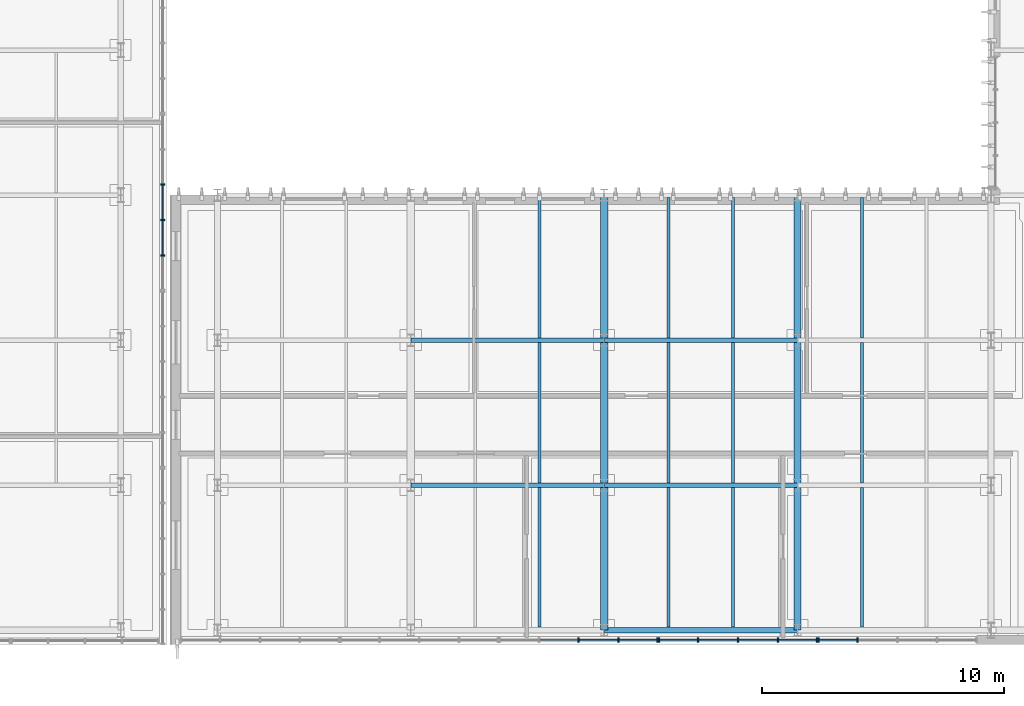
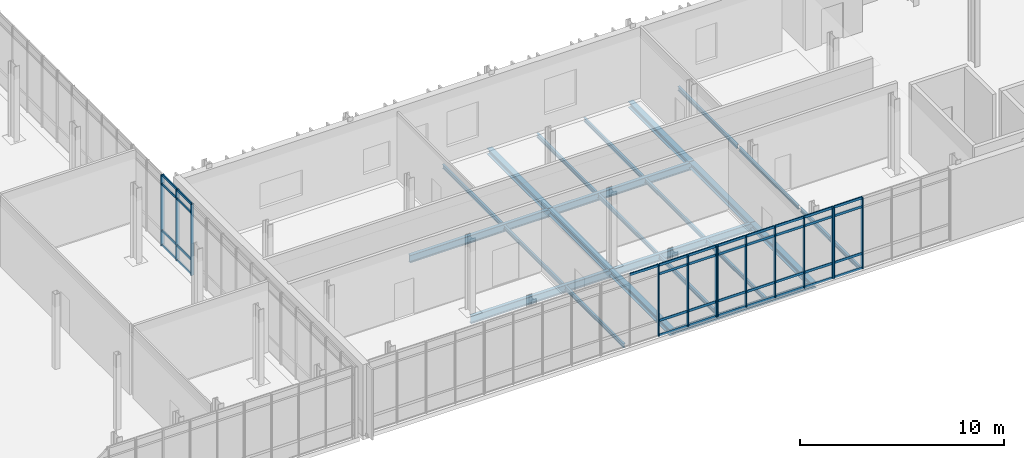
# One storey, part 30 of 100: 50 members, 23 beams, 4 elements without a shape of their own.
"""IFC4 building model written with IfcOpenShell, lengths in metres."""

from ifc_helpers import new_model, si_unit, direction, frame, origin, origin_2d, place, context, subcontext, project, spatial, rectangle, i_section, extrude, material, material_profile, profile_set, type_object, element, aggregate, save


model = new_model("IFC4")

# Units and contexts
model_context = context("Model", 3, precision=1e-05, world=origin(), true_north=direction((0.0, 1.0)))
body_context = subcontext(model_context, "Body", "Model", "MODEL_VIEW")
ifc_project = project(units=[si_unit("LENGTHUNIT", "METRE"), si_unit("AREAUNIT", "SQUARE_METRE"), si_unit("VOLUMEUNIT", "CUBIC_METRE"), si_unit("PLANEANGLEUNIT", "RADIAN"), si_unit("MASSUNIT", "GRAM", prefix="KILO")], contexts=[model_context])

# Site, building, storey
site_placement = place(None, origin())
site = spatial("IfcSite", under=ifc_project, at=site_placement, CompositionType="ELEMENT")
building_placement = place(site_placement, origin())
building = spatial("IfcBuilding", under=site, at=building_placement, Name="Cymarion Research Institute", CompositionType="ELEMENT")
storey_placement = place(building_placement, frame((0.0, 0.0, 4.800048828125)))
storey = spatial("IfcBuildingStorey", under=building, at=storey_placement, Name="L01", CompositionType="ELEMENT", Elevation=4.800048828125)

# Curtain wall, members
ifc_material_1 = material(Name="Anodised aluminium unitised curtain wall with Low-E glazing", Category="aluminium")
curtain_wall_type_1 = type_object("IfcCurtainWallType", Name="UNITISED CURTAIN WALL CW01 6590X4250", PredefinedType="NOTDEFINED", material=ifc_material_1)
curtain_wall_1_placement = place(storey_placement, origin())
curtain_wall_1 = element("IfcCurtainWall", 1, at=curtain_wall_1_placement, inside=storey, type_object=curtain_wall_type_1, Name="L01 V1 unitised curtain wall CW01 #3", PredefinedType="NOTDEFINED")
ifc_material_2 = material(Name="Anodised aluminium framing", Category="aluminium")
ifc_material_profile_1 = material_profile(ifc_material_2, rectangle(XDim=0.06005859375, YDim=0.179931640625, at=origin_2d()), Name="ALU MULLION 60x180")
ifc_profile_set_1 = profile_set([ifc_material_profile_1], Name="Anodised aluminium framing")
member_type_1 = type_object("IfcMemberType", Name="CURTAIN WALL MULLION ML01 60X180", PredefinedType="MULLION", material=ifc_profile_set_1)
member_1_placement = place(storey_placement, frame((121.544677734375, 5.090087890625, 0.0), z_axis=(0.0, 0.0, 1.0), x_axis=(1.0, 0.0, 0.0)))
member_1 = element("IfcMember", 2, at=member_1_placement, type_object=member_type_1, Name="CW01 mullion 3", PredefinedType="MULLION", context=body_context, shape_type="SweptSolid", body=[
    extrude(rectangle(XDim=0.06005859375, YDim=0.179931640625, at=origin_2d()), origin(), (0.0, 0.0, 1.0), 4.25),
])
member_2_placement = place(storey_placement, frame((123.193115234375, 5.090087890625, 0.0), z_axis=(0.0, 0.0, 1.0), x_axis=(1.0, 0.0, 0.0)))
member_2 = element("IfcMember", 3, at=member_2_placement, type_object=member_type_1, Name="CW01 mullion 4", PredefinedType="MULLION", context=body_context, shape_type="SweptSolid", body=[
    extrude(rectangle(XDim=0.06005859375, YDim=0.179931640625, at=origin_2d()), origin(), (0.0, 0.0, 1.0), 4.25),
])
member_3_placement = place(storey_placement, frame((124.811279296875, 5.090087890625, 0.0), z_axis=(0.0, 0.0, 1.0), x_axis=(1.0, 0.0, 0.0)))
member_3 = element("IfcMember", 4, at=member_3_placement, type_object=member_type_1, Name="CW01 mullion 5", PredefinedType="MULLION", context=body_context, shape_type="SweptSolid", body=[
    extrude(rectangle(XDim=0.06005859375, YDim=0.179931640625, at=origin_2d()), origin(), (0.0, 0.0, 1.0), 4.25),
])

curtain_wall_2_placement = place(storey_placement, origin())
curtain_wall_2 = element("IfcCurtainWall", 5, at=curtain_wall_2_placement, inside=storey, type_object=curtain_wall_type_1, Name="L01 V1 unitised curtain wall CW01 #4", PredefinedType="NOTDEFINED")
member_4_placement = place(storey_placement, frame((124.871337890625, 5.090087890625, 0.0), z_axis=(0.0, 0.0, 1.0), x_axis=(1.0, 0.0, 0.0)))
member_4 = element("IfcMember", 6, at=member_4_placement, type_object=member_type_1, Name="CW01 mullion 1", PredefinedType="MULLION", context=body_context, shape_type="SweptSolid", body=[
    extrude(rectangle(XDim=0.06005859375, YDim=0.179931640625, at=origin_2d()), origin(), (0.0, 0.0, 1.0), 4.25),
])
member_5_placement = place(storey_placement, frame((126.489501953125, 5.090087890625, 0.0), z_axis=(0.0, 0.0, 1.0), x_axis=(1.0, 0.0, 0.0)))
member_5 = element("IfcMember", 7, at=member_5_placement, type_object=member_type_1, Name="CW01 mullion 2", PredefinedType="MULLION", context=body_context, shape_type="SweptSolid", body=[
    extrude(rectangle(XDim=0.06005859375, YDim=0.179931640625, at=origin_2d()), origin(), (0.0, 0.0, 1.0), 4.25),
])
member_6_placement = place(storey_placement, frame((128.137939453125, 5.090087890625, 0.0), z_axis=(0.0, 0.0, 1.0), x_axis=(1.0, 0.0, 0.0)))
member_6 = element("IfcMember", 8, at=member_6_placement, type_object=member_type_1, Name="CW01 mullion 3", PredefinedType="MULLION", context=body_context, shape_type="SweptSolid", body=[
    extrude(rectangle(XDim=0.06005859375, YDim=0.179931640625, at=origin_2d()), origin(), (0.0, 0.0, 1.0), 4.25),
])
member_7_placement = place(storey_placement, frame((129.7861328125, 5.090087890625, 0.0), z_axis=(0.0, 0.0, 1.0), x_axis=(1.0, 0.0, 0.0)))
member_7 = element("IfcMember", 9, at=member_7_placement, type_object=member_type_1, Name="CW01 mullion 4", PredefinedType="MULLION", context=body_context, shape_type="SweptSolid", body=[
    extrude(rectangle(XDim=0.06005859375, YDim=0.179931640625, at=origin_2d()), origin(), (0.0, 0.0, 1.0), 4.25),
])
member_8_placement = place(storey_placement, frame((131.404296875, 5.090087890625, 0.0), z_axis=(0.0, 0.0, 1.0), x_axis=(1.0, 0.0, 0.0)))
member_8 = element("IfcMember", 10, at=member_8_placement, type_object=member_type_1, Name="CW01 mullion 5", PredefinedType="MULLION", context=body_context, shape_type="SweptSolid", body=[
    extrude(rectangle(XDim=0.06005859375, YDim=0.179931640625, at=origin_2d()), origin(), (0.0, 0.0, 1.0), 4.25),
])

curtain_wall_3_placement = place(storey_placement, origin())
curtain_wall_3 = element("IfcCurtainWall", 11, at=curtain_wall_3_placement, inside=storey, type_object=curtain_wall_type_1, Name="L01 V1 unitised curtain wall CW01 #5", PredefinedType="NOTDEFINED")
member_9_placement = place(storey_placement, frame((131.46435546875, 5.090087890625, 0.0), z_axis=(0.0, 0.0, 1.0), x_axis=(1.0, 0.0, 0.0)))
member_9 = element("IfcMember", 12, at=member_9_placement, type_object=member_type_1, Name="CW01 mullion 1", PredefinedType="MULLION", context=body_context, shape_type="SweptSolid", body=[
    extrude(rectangle(XDim=0.06005859375, YDim=0.179931640625, at=origin_2d()), origin(), (0.0, 0.0, 1.0), 4.25),
])
member_10_placement = place(storey_placement, frame((133.082763671875, 5.090087890625, 0.0), z_axis=(0.0, 0.0, 1.0), x_axis=(1.0, 0.0, 0.0)))
member_10 = element("IfcMember", 13, at=member_10_placement, type_object=member_type_1, Name="CW01 mullion 2", PredefinedType="MULLION", context=body_context, shape_type="SweptSolid", body=[
    extrude(rectangle(XDim=0.06005859375, YDim=0.179931640625, at=origin_2d()), origin(), (0.0, 0.0, 1.0), 4.25),
])

curtain_wall_type_2 = type_object("IfcCurtainWallType", Name="UNITISED CURTAIN WALL CW08 7320X4250", PredefinedType="NOTDEFINED", material=ifc_material_1)
curtain_wall_4_placement = place(storey_placement, origin())
curtain_wall_4 = element("IfcCurtainWall", 14, at=curtain_wall_4_placement, inside=storey, type_object=curtain_wall_type_2, Name="L01 V2 unitised curtain wall CW08 #21", PredefinedType="NOTDEFINED")
member_11_placement = place(storey_placement, frame((104.340087890625, 21.00390625, 0.0), z_axis=(0.0, 0.0, 1.0), x_axis=(0.0, 1.0, 0.0)))
member_11 = element("IfcMember", 15, at=member_11_placement, type_object=member_type_1, Name="CW08 mullion 2", PredefinedType="MULLION", context=body_context, shape_type="SweptSolid", body=[
    extrude(rectangle(XDim=0.06005859375, YDim=0.179931640625, at=origin_2d()), origin(), (0.0, 0.0, 1.0), 4.25),
])
member_12_placement = place(storey_placement, frame((104.340087890625, 22.468017578125, 0.0), z_axis=(0.0, 0.0, 1.0), x_axis=(0.0, 1.0, 0.0)))
member_12 = element("IfcMember", 16, at=member_12_placement, type_object=member_type_1, Name="CW08 mullion 3", PredefinedType="MULLION", context=body_context, shape_type="SweptSolid", body=[
    extrude(rectangle(XDim=0.06005859375, YDim=0.179931640625, at=origin_2d()), origin(), (0.0, 0.0, 1.0), 4.25),
])
member_13_placement = place(storey_placement, frame((104.340087890625, 23.931884765625, 0.0), z_axis=(0.0, 0.0, 1.0), x_axis=(0.0, 1.0, 0.0)))
member_13 = element("IfcMember", 17, at=member_13_placement, type_object=member_type_1, Name="CW08 mullion 4", PredefinedType="MULLION", context=body_context, shape_type="SweptSolid", body=[
    extrude(rectangle(XDim=0.06005859375, YDim=0.179931640625, at=origin_2d()), origin(), (0.0, 0.0, 1.0), 4.25),
])

# Member
ifc_material_profile_2 = material_profile(ifc_material_2, rectangle(XDim=0.06005859375, YDim=0.14990234375, at=origin_2d()), Name="ALU TRANSOM 60x150")
ifc_profile_set_2 = profile_set([ifc_material_profile_2], Name="Anodised aluminium framing")
member_type_2 = type_object("IfcMemberType", Name="CURTAIN WALL TRANSOM TR01 60X150", PredefinedType="USERDEFINED", material=ifc_profile_set_2)
member_14_placement = place(storey_placement, frame((119.926513671875, 5.090087890625, 4.219970703125), z_axis=(1.0, 0.0, 0.0), x_axis=(0.0, 1.0, 0.0)))
member_14 = element("IfcMember", 18, at=member_14_placement, type_object=member_type_2, Name="CW01 transom 2.4", ObjectType="TRANSOM", PredefinedType="USERDEFINED", context=body_context, shape_type="SweptSolid", body=[
    extrude(rectangle(XDim=0.06005859375, YDim=0.14990234375, at=origin_2d()), origin(), (0.0, 0.0, 1.0), 1.588134765625),
])

member_15_placement = place(storey_placement, frame((121.57470703125, 5.090087890625, 0.030029296875), z_axis=(1.0, 0.0, 0.0), x_axis=(0.0, 1.0, 0.0)))
member_15 = element("IfcMember", 19, at=member_15_placement, type_object=member_type_2, Name="CW01 transom 3.1", ObjectType="TRANSOM", PredefinedType="USERDEFINED", context=body_context, shape_type="SweptSolid", body=[
    extrude(rectangle(XDim=0.06005859375, YDim=0.14990234375, at=origin_2d()), origin(), (0.0, 0.0, 1.0), 1.58837890625),
])

member_16_placement = place(storey_placement, frame((121.57470703125, 5.090087890625, 0.89990234375), z_axis=(1.0, 0.0, 0.0), x_axis=(0.0, 1.0, 0.0)))
member_16 = element("IfcMember", 20, at=member_16_placement, type_object=member_type_2, Name="CW01 transom 3.2", ObjectType="TRANSOM", PredefinedType="USERDEFINED", context=body_context, shape_type="SweptSolid", body=[
    extrude(rectangle(XDim=0.06005859375, YDim=0.14990234375, at=origin_2d()), origin(), (0.0, 0.0, 1.0), 1.58837890625),
])

member_17_placement = place(storey_placement, frame((121.57470703125, 5.090087890625, 3.699951171875), z_axis=(1.0, 0.0, 0.0), x_axis=(0.0, 1.0, 0.0)))
member_17 = element("IfcMember", 21, at=member_17_placement, type_object=member_type_2, Name="CW01 transom 3.3", ObjectType="TRANSOM", PredefinedType="USERDEFINED", context=body_context, shape_type="SweptSolid", body=[
    extrude(rectangle(XDim=0.06005859375, YDim=0.14990234375, at=origin_2d()), origin(), (0.0, 0.0, 1.0), 1.58837890625),
])

member_18_placement = place(storey_placement, frame((121.57470703125, 5.090087890625, 4.219970703125), z_axis=(1.0, 0.0, 0.0), x_axis=(0.0, 1.0, 0.0)))
member_18 = element("IfcMember", 22, at=member_18_placement, type_object=member_type_2, Name="CW01 transom 3.4", ObjectType="TRANSOM", PredefinedType="USERDEFINED", context=body_context, shape_type="SweptSolid", body=[
    extrude(rectangle(XDim=0.06005859375, YDim=0.14990234375, at=origin_2d()), origin(), (0.0, 0.0, 1.0), 1.58837890625),
])

member_19_placement = place(storey_placement, frame((123.22314453125, 5.090087890625, 0.030029296875), z_axis=(1.0, 0.0, 0.0), x_axis=(0.0, 1.0, 0.0)))
member_19 = element("IfcMember", 23, at=member_19_placement, type_object=member_type_2, Name="CW01 transom 4.1", ObjectType="TRANSOM", PredefinedType="USERDEFINED", context=body_context, shape_type="SweptSolid", body=[
    extrude(rectangle(XDim=0.06005859375, YDim=0.14990234375, at=origin_2d()), origin(), (0.0, 0.0, 1.0), 1.55810546875),
])

member_20_placement = place(storey_placement, frame((123.22314453125, 5.090087890625, 0.89990234375), z_axis=(1.0, 0.0, 0.0), x_axis=(0.0, 1.0, 0.0)))
member_20 = element("IfcMember", 24, at=member_20_placement, type_object=member_type_2, Name="CW01 transom 4.2", ObjectType="TRANSOM", PredefinedType="USERDEFINED", context=body_context, shape_type="SweptSolid", body=[
    extrude(rectangle(XDim=0.06005859375, YDim=0.14990234375, at=origin_2d()), origin(), (0.0, 0.0, 1.0), 1.55810546875),
])

member_21_placement = place(storey_placement, frame((123.22314453125, 5.090087890625, 3.699951171875), z_axis=(1.0, 0.0, 0.0), x_axis=(0.0, 1.0, 0.0)))
member_21 = element("IfcMember", 25, at=member_21_placement, type_object=member_type_2, Name="CW01 transom 4.3", ObjectType="TRANSOM", PredefinedType="USERDEFINED", context=body_context, shape_type="SweptSolid", body=[
    extrude(rectangle(XDim=0.06005859375, YDim=0.14990234375, at=origin_2d()), origin(), (0.0, 0.0, 1.0), 1.55810546875),
])

member_22_placement = place(storey_placement, frame((123.22314453125, 5.090087890625, 4.219970703125), z_axis=(1.0, 0.0, 0.0), x_axis=(0.0, 1.0, 0.0)))
member_22 = element("IfcMember", 26, at=member_22_placement, type_object=member_type_2, Name="CW01 transom 4.4", ObjectType="TRANSOM", PredefinedType="USERDEFINED", context=body_context, shape_type="SweptSolid", body=[
    extrude(rectangle(XDim=0.06005859375, YDim=0.14990234375, at=origin_2d()), origin(), (0.0, 0.0, 1.0), 1.55810546875),
])

aggregate(curtain_wall_1, [member_1, member_2, member_3, member_14, member_15, member_16, member_17, member_18, member_19, member_20, member_21, member_22])

member_23_placement = place(storey_placement, frame((124.9013671875, 5.090087890625, 0.030029296875), z_axis=(1.0, 0.0, 0.0), x_axis=(0.0, 1.0, 0.0)))
member_23 = element("IfcMember", 27, at=member_23_placement, type_object=member_type_2, Name="CW01 transom 1.1", ObjectType="TRANSOM", PredefinedType="USERDEFINED", context=body_context, shape_type="SweptSolid", body=[
    extrude(rectangle(XDim=0.06005859375, YDim=0.14990234375, at=origin_2d()), origin(), (0.0, 0.0, 1.0), 1.55810546875),
])

member_24_placement = place(storey_placement, frame((124.9013671875, 5.090087890625, 0.89990234375), z_axis=(1.0, 0.0, 0.0), x_axis=(0.0, 1.0, 0.0)))
member_24 = element("IfcMember", 28, at=member_24_placement, type_object=member_type_2, Name="CW01 transom 1.2", ObjectType="TRANSOM", PredefinedType="USERDEFINED", context=body_context, shape_type="SweptSolid", body=[
    extrude(rectangle(XDim=0.06005859375, YDim=0.14990234375, at=origin_2d()), origin(), (0.0, 0.0, 1.0), 1.55810546875),
])

member_25_placement = place(storey_placement, frame((124.9013671875, 5.090087890625, 3.699951171875), z_axis=(1.0, 0.0, 0.0), x_axis=(0.0, 1.0, 0.0)))
member_25 = element("IfcMember", 29, at=member_25_placement, type_object=member_type_2, Name="CW01 transom 1.3", ObjectType="TRANSOM", PredefinedType="USERDEFINED", context=body_context, shape_type="SweptSolid", body=[
    extrude(rectangle(XDim=0.06005859375, YDim=0.14990234375, at=origin_2d()), origin(), (0.0, 0.0, 1.0), 1.55810546875),
])

member_26_placement = place(storey_placement, frame((124.9013671875, 5.090087890625, 4.219970703125), z_axis=(1.0, 0.0, 0.0), x_axis=(0.0, 1.0, 0.0)))
member_26 = element("IfcMember", 30, at=member_26_placement, type_object=member_type_2, Name="CW01 transom 1.4", ObjectType="TRANSOM", PredefinedType="USERDEFINED", context=body_context, shape_type="SweptSolid", body=[
    extrude(rectangle(XDim=0.06005859375, YDim=0.14990234375, at=origin_2d()), origin(), (0.0, 0.0, 1.0), 1.55810546875),
])

member_27_placement = place(storey_placement, frame((126.51953125, 5.090087890625, 0.030029296875), z_axis=(1.0, 0.0, 0.0), x_axis=(0.0, 1.0, 0.0)))
member_27 = element("IfcMember", 31, at=member_27_placement, type_object=member_type_2, Name="CW01 transom 2.1", ObjectType="TRANSOM", PredefinedType="USERDEFINED", context=body_context, shape_type="SweptSolid", body=[
    extrude(rectangle(XDim=0.06005859375, YDim=0.14990234375, at=origin_2d()), origin(), (0.0, 0.0, 1.0), 1.58837890625),
])

member_28_placement = place(storey_placement, frame((126.51953125, 5.090087890625, 0.89990234375), z_axis=(1.0, 0.0, 0.0), x_axis=(0.0, 1.0, 0.0)))
member_28 = element("IfcMember", 32, at=member_28_placement, type_object=member_type_2, Name="CW01 transom 2.2", ObjectType="TRANSOM", PredefinedType="USERDEFINED", context=body_context, shape_type="SweptSolid", body=[
    extrude(rectangle(XDim=0.06005859375, YDim=0.14990234375, at=origin_2d()), origin(), (0.0, 0.0, 1.0), 1.58837890625),
])

member_29_placement = place(storey_placement, frame((126.51953125, 5.090087890625, 3.699951171875), z_axis=(1.0, 0.0, 0.0), x_axis=(0.0, 1.0, 0.0)))
member_29 = element("IfcMember", 33, at=member_29_placement, type_object=member_type_2, Name="CW01 transom 2.3", ObjectType="TRANSOM", PredefinedType="USERDEFINED", context=body_context, shape_type="SweptSolid", body=[
    extrude(rectangle(XDim=0.06005859375, YDim=0.14990234375, at=origin_2d()), origin(), (0.0, 0.0, 1.0), 1.58837890625),
])

member_30_placement = place(storey_placement, frame((126.51953125, 5.090087890625, 4.219970703125), z_axis=(1.0, 0.0, 0.0), x_axis=(0.0, 1.0, 0.0)))
member_30 = element("IfcMember", 34, at=member_30_placement, type_object=member_type_2, Name="CW01 transom 2.4", ObjectType="TRANSOM", PredefinedType="USERDEFINED", context=body_context, shape_type="SweptSolid", body=[
    extrude(rectangle(XDim=0.06005859375, YDim=0.14990234375, at=origin_2d()), origin(), (0.0, 0.0, 1.0), 1.58837890625),
])

member_31_placement = place(storey_placement, frame((128.16796875, 5.090087890625, 0.030029296875), z_axis=(1.0, 0.0, 0.0), x_axis=(0.0, 1.0, 0.0)))
member_31 = element("IfcMember", 35, at=member_31_placement, type_object=member_type_2, Name="CW01 transom 3.1", ObjectType="TRANSOM", PredefinedType="USERDEFINED", context=body_context, shape_type="SweptSolid", body=[
    extrude(rectangle(XDim=0.06005859375, YDim=0.14990234375, at=origin_2d()), origin(), (0.0, 0.0, 1.0), 1.588134765625),
])

member_32_placement = place(storey_placement, frame((128.16796875, 5.090087890625, 0.89990234375), z_axis=(1.0, 0.0, 0.0), x_axis=(0.0, 1.0, 0.0)))
member_32 = element("IfcMember", 36, at=member_32_placement, type_object=member_type_2, Name="CW01 transom 3.2", ObjectType="TRANSOM", PredefinedType="USERDEFINED", context=body_context, shape_type="SweptSolid", body=[
    extrude(rectangle(XDim=0.06005859375, YDim=0.14990234375, at=origin_2d()), origin(), (0.0, 0.0, 1.0), 1.588134765625),
])

member_33_placement = place(storey_placement, frame((128.16796875, 5.090087890625, 3.699951171875), z_axis=(1.0, 0.0, 0.0), x_axis=(0.0, 1.0, 0.0)))
member_33 = element("IfcMember", 37, at=member_33_placement, type_object=member_type_2, Name="CW01 transom 3.3", ObjectType="TRANSOM", PredefinedType="USERDEFINED", context=body_context, shape_type="SweptSolid", body=[
    extrude(rectangle(XDim=0.06005859375, YDim=0.14990234375, at=origin_2d()), origin(), (0.0, 0.0, 1.0), 1.588134765625),
])

member_34_placement = place(storey_placement, frame((128.16796875, 5.090087890625, 4.219970703125), z_axis=(1.0, 0.0, 0.0), x_axis=(0.0, 1.0, 0.0)))
member_34 = element("IfcMember", 38, at=member_34_placement, type_object=member_type_2, Name="CW01 transom 3.4", ObjectType="TRANSOM", PredefinedType="USERDEFINED", context=body_context, shape_type="SweptSolid", body=[
    extrude(rectangle(XDim=0.06005859375, YDim=0.14990234375, at=origin_2d()), origin(), (0.0, 0.0, 1.0), 1.588134765625),
])

member_35_placement = place(storey_placement, frame((129.816162109375, 5.090087890625, 0.030029296875), z_axis=(1.0, 0.0, 0.0), x_axis=(0.0, 1.0, 0.0)))
member_35 = element("IfcMember", 39, at=member_35_placement, type_object=member_type_2, Name="CW01 transom 4.1", ObjectType="TRANSOM", PredefinedType="USERDEFINED", context=body_context, shape_type="SweptSolid", body=[
    extrude(rectangle(XDim=0.06005859375, YDim=0.14990234375, at=origin_2d()), origin(), (0.0, 0.0, 1.0), 1.558349609375),
])

member_36_placement = place(storey_placement, frame((129.816162109375, 5.090087890625, 0.89990234375), z_axis=(1.0, 0.0, 0.0), x_axis=(0.0, 1.0, 0.0)))
member_36 = element("IfcMember", 40, at=member_36_placement, type_object=member_type_2, Name="CW01 transom 4.2", ObjectType="TRANSOM", PredefinedType="USERDEFINED", context=body_context, shape_type="SweptSolid", body=[
    extrude(rectangle(XDim=0.06005859375, YDim=0.14990234375, at=origin_2d()), origin(), (0.0, 0.0, 1.0), 1.558349609375),
])

member_37_placement = place(storey_placement, frame((129.816162109375, 5.090087890625, 3.699951171875), z_axis=(1.0, 0.0, 0.0), x_axis=(0.0, 1.0, 0.0)))
member_37 = element("IfcMember", 41, at=member_37_placement, type_object=member_type_2, Name="CW01 transom 4.3", ObjectType="TRANSOM", PredefinedType="USERDEFINED", context=body_context, shape_type="SweptSolid", body=[
    extrude(rectangle(XDim=0.06005859375, YDim=0.14990234375, at=origin_2d()), origin(), (0.0, 0.0, 1.0), 1.558349609375),
])

member_38_placement = place(storey_placement, frame((129.816162109375, 5.090087890625, 4.219970703125), z_axis=(1.0, 0.0, 0.0), x_axis=(0.0, 1.0, 0.0)))
member_38 = element("IfcMember", 42, at=member_38_placement, type_object=member_type_2, Name="CW01 transom 4.4", ObjectType="TRANSOM", PredefinedType="USERDEFINED", context=body_context, shape_type="SweptSolid", body=[
    extrude(rectangle(XDim=0.06005859375, YDim=0.14990234375, at=origin_2d()), origin(), (0.0, 0.0, 1.0), 1.558349609375),
])

aggregate(curtain_wall_2, [member_4, member_5, member_6, member_7, member_8, member_23, member_24, member_25, member_26, member_27, member_28, member_29, member_30, member_31, member_32, member_33, member_34, member_35, member_36, member_37, member_38])

member_39_placement = place(storey_placement, frame((131.494384765625, 5.090087890625, 0.030029296875), z_axis=(1.0, 0.0, 0.0), x_axis=(0.0, 1.0, 0.0)))
member_39 = element("IfcMember", 43, at=member_39_placement, type_object=member_type_2, Name="CW01 transom 1.1", ObjectType="TRANSOM", PredefinedType="USERDEFINED", context=body_context, shape_type="SweptSolid", body=[
    extrude(rectangle(XDim=0.06005859375, YDim=0.14990234375, at=origin_2d()), origin(), (0.0, 0.0, 1.0), 1.558349609375),
])

member_40_placement = place(storey_placement, frame((131.494384765625, 5.090087890625, 0.89990234375), z_axis=(1.0, 0.0, 0.0), x_axis=(0.0, 1.0, 0.0)))
member_40 = element("IfcMember", 44, at=member_40_placement, type_object=member_type_2, Name="CW01 transom 1.2", ObjectType="TRANSOM", PredefinedType="USERDEFINED", context=body_context, shape_type="SweptSolid", body=[
    extrude(rectangle(XDim=0.06005859375, YDim=0.14990234375, at=origin_2d()), origin(), (0.0, 0.0, 1.0), 1.558349609375),
])

member_41_placement = place(storey_placement, frame((131.494384765625, 5.090087890625, 3.699951171875), z_axis=(1.0, 0.0, 0.0), x_axis=(0.0, 1.0, 0.0)))
member_41 = element("IfcMember", 45, at=member_41_placement, type_object=member_type_2, Name="CW01 transom 1.3", ObjectType="TRANSOM", PredefinedType="USERDEFINED", context=body_context, shape_type="SweptSolid", body=[
    extrude(rectangle(XDim=0.06005859375, YDim=0.14990234375, at=origin_2d()), origin(), (0.0, 0.0, 1.0), 1.558349609375),
])

member_42_placement = place(storey_placement, frame((131.494384765625, 5.090087890625, 4.219970703125), z_axis=(1.0, 0.0, 0.0), x_axis=(0.0, 1.0, 0.0)))
member_42 = element("IfcMember", 46, at=member_42_placement, type_object=member_type_2, Name="CW01 transom 1.4", ObjectType="TRANSOM", PredefinedType="USERDEFINED", context=body_context, shape_type="SweptSolid", body=[
    extrude(rectangle(XDim=0.06005859375, YDim=0.14990234375, at=origin_2d()), origin(), (0.0, 0.0, 1.0), 1.558349609375),
])

aggregate(curtain_wall_3, [member_9, member_10, member_39, member_40, member_41, member_42])

member_43_placement = place(storey_placement, frame((104.340087890625, 21.033935546875, 0.030029296875), z_axis=(0.0, 1.0, 0.0), x_axis=(-1.0, 0.0, 0.0)))
member_43 = element("IfcMember", 47, at=member_43_placement, type_object=member_type_2, Name="CW08 transom 2.1", ObjectType="TRANSOM", PredefinedType="USERDEFINED", context=body_context, shape_type="SweptSolid", body=[
    extrude(rectangle(XDim=0.06005859375, YDim=0.14990234375, at=origin_2d()), origin(), (0.0, 0.0, 1.0), 1.404052734375),
])

member_44_placement = place(storey_placement, frame((104.340087890625, 21.033935546875, 0.89990234375), z_axis=(0.0, 1.0, 0.0), x_axis=(-1.0, 0.0, 0.0)))
member_44 = element("IfcMember", 48, at=member_44_placement, type_object=member_type_2, Name="CW08 transom 2.2", ObjectType="TRANSOM", PredefinedType="USERDEFINED", context=body_context, shape_type="SweptSolid", body=[
    extrude(rectangle(XDim=0.06005859375, YDim=0.14990234375, at=origin_2d()), origin(), (0.0, 0.0, 1.0), 1.404052734375),
])

member_45_placement = place(storey_placement, frame((104.340087890625, 21.033935546875, 3.699951171875), z_axis=(0.0, 1.0, 0.0), x_axis=(-1.0, 0.0, 0.0)))
member_45 = element("IfcMember", 49, at=member_45_placement, type_object=member_type_2, Name="CW08 transom 2.3", ObjectType="TRANSOM", PredefinedType="USERDEFINED", context=body_context, shape_type="SweptSolid", body=[
    extrude(rectangle(XDim=0.06005859375, YDim=0.14990234375, at=origin_2d()), origin(), (0.0, 0.0, 1.0), 1.404052734375),
])

member_46_placement = place(storey_placement, frame((104.340087890625, 21.033935546875, 4.219970703125), z_axis=(0.0, 1.0, 0.0), x_axis=(-1.0, 0.0, 0.0)))
member_46 = element("IfcMember", 50, at=member_46_placement, type_object=member_type_2, Name="CW08 transom 2.4", ObjectType="TRANSOM", PredefinedType="USERDEFINED", context=body_context, shape_type="SweptSolid", body=[
    extrude(rectangle(XDim=0.06005859375, YDim=0.14990234375, at=origin_2d()), origin(), (0.0, 0.0, 1.0), 1.404052734375),
])

member_47_placement = place(storey_placement, frame((104.340087890625, 22.498046875, 0.030029296875), z_axis=(0.0, 1.0, 0.0), x_axis=(-1.0, 0.0, 0.0)))
member_47 = element("IfcMember", 51, at=member_47_placement, type_object=member_type_2, Name="CW08 transom 3.1", ObjectType="TRANSOM", PredefinedType="USERDEFINED", context=body_context, shape_type="SweptSolid", body=[
    extrude(rectangle(XDim=0.06005859375, YDim=0.14990234375, at=origin_2d()), origin(), (0.0, 0.0, 1.0), 1.404052734375),
])

member_48_placement = place(storey_placement, frame((104.340087890625, 22.498046875, 0.89990234375), z_axis=(0.0, 1.0, 0.0), x_axis=(-1.0, 0.0, 0.0)))
member_48 = element("IfcMember", 52, at=member_48_placement, type_object=member_type_2, Name="CW08 transom 3.2", ObjectType="TRANSOM", PredefinedType="USERDEFINED", context=body_context, shape_type="SweptSolid", body=[
    extrude(rectangle(XDim=0.06005859375, YDim=0.14990234375, at=origin_2d()), origin(), (0.0, 0.0, 1.0), 1.404052734375),
])

member_49_placement = place(storey_placement, frame((104.340087890625, 22.498046875, 3.699951171875), z_axis=(0.0, 1.0, 0.0), x_axis=(-1.0, 0.0, 0.0)))
member_49 = element("IfcMember", 53, at=member_49_placement, type_object=member_type_2, Name="CW08 transom 3.3", ObjectType="TRANSOM", PredefinedType="USERDEFINED", context=body_context, shape_type="SweptSolid", body=[
    extrude(rectangle(XDim=0.06005859375, YDim=0.14990234375, at=origin_2d()), origin(), (0.0, 0.0, 1.0), 1.404052734375),
])

member_50_placement = place(storey_placement, frame((104.340087890625, 22.498046875, 4.219970703125), z_axis=(0.0, 1.0, 0.0), x_axis=(-1.0, 0.0, 0.0)))
member_50 = element("IfcMember", 54, at=member_50_placement, type_object=member_type_2, Name="CW08 transom 3.4", ObjectType="TRANSOM", PredefinedType="USERDEFINED", context=body_context, shape_type="SweptSolid", body=[
    extrude(rectangle(XDim=0.06005859375, YDim=0.14990234375, at=origin_2d()), origin(), (0.0, 0.0, 1.0), 1.404052734375),
])

aggregate(curtain_wall_4, [member_11, member_12, member_13, member_43, member_44, member_45, member_46, member_47, member_48, member_49, member_50])

# Beams
ifc_material_3 = material(Name="Steel S355", Category="steel")
ifc_material_profile_3 = material_profile(ifc_material_3, i_section(OverallWidth=0.18994140625, OverallDepth=0.449951171875, WebThickness=0.009521484375, FlangeThickness=0.0146484375, FilletRadius=0.02099609375, at=origin_2d()), Name="IPE 450")
ifc_profile_set_3 = profile_set([ifc_material_profile_3], Name="Steel S355")
beam_type_1 = type_object("IfcBeamType", Name="PRIMARY GIRDER BM04 IPE 450", PredefinedType="BEAM", material=ifc_profile_set_3)
for number, where, z_axis, x_axis, name in (
    (55, (114.60595703125, 11.5, -0.47509765625), (1.0, 0.0, 0.0), (0.0, 1.0, 0.0), "L01 V1 girder BM04 #355"),
    (56, (122.60595703125, 11.5, -0.47509765625), (1.0, 0.0, 0.0), (0.0, 1.0, 0.0), "L01 V1 girder BM04 #356"),
    (57, (114.60595703125, 17.5, -0.47509765625), (1.0, 0.0, 0.0), (0.0, 1.0, 0.0), "L01 V1 girder BM04 #359"),
    (58, (122.60595703125, 17.5, -0.47509765625), (1.0, 0.0, 0.0), (0.0, 1.0, 0.0), "L01 V1 girder BM04 #360"),
):
    element("IfcBeam", number, at=place(storey_placement, frame(where, z_axis=z_axis, x_axis=x_axis)), inside=storey, type_object=beam_type_1, Name=name, PredefinedType="BEAM", context=body_context, shape_type="SweptSolid", body=[
        extrude(i_section(OverallWidth=0.18994140625, OverallDepth=0.449951171875, WebThickness=0.009521484375, FlangeThickness=0.0146484375, FilletRadius=0.02099609375, at=origin_2d()), origin(), (0.0, 0.0, 1.0), 7.988037109375),
    ])
ifc_material_profile_4 = material_profile(ifc_material_3, i_section(OverallWidth=0.300048828125, OverallDepth=0.35009765625, WebThickness=0.010009765625, FlangeThickness=0.017578125, FilletRadius=0.027099609375, at=origin_2d()), Name="HEA 360")
ifc_profile_set_4 = profile_set([ifc_material_profile_4], Name="Steel S355")
beam_type_2 = type_object("IfcBeamType", Name="PRIMARY GIRDER BM12 HEA 360", PredefinedType="BEAM", material=ifc_profile_set_4)
for number, where, z_axis, x_axis, name in (
    (59, (122.60009765625, 5.506103515625, -0.425048828125), (0.0, 1.0, 0.0), (-1.0, 0.0, 0.0), "L01 V1 girder BM12 #382"),
    (60, (122.60009765625, 11.506103515625, -0.425048828125), (0.0, 1.0, 0.0), (-1.0, 0.0, 0.0), "L01 V1 girder BM12 #383"),
    (61, (122.60009765625, 17.506103515625, -0.425048828125), (0.0, 1.0, 0.0), (-1.0, 0.0, 0.0), "L01 V1 girder BM12 #384"),
    (62, (130.60009765625, 5.506103515625, -0.425048828125), (0.0, 1.0, 0.0), (-1.0, 0.0, 0.0), "L01 V1 girder BM12 #385"),
    (63, (130.60009765625, 11.506103515625, -0.425048828125), (0.0, 1.0, 0.0), (-1.0, 0.0, 0.0), "L01 V1 girder BM12 #386"),
    (64, (130.60009765625, 17.506103515625, -0.425048828125), (0.0, 1.0, 0.0), (-1.0, 0.0, 0.0), "L01 V1 girder BM12 #387"),
):
    element("IfcBeam", number, at=place(storey_placement, frame(where, z_axis=z_axis, x_axis=x_axis)), inside=storey, type_object=beam_type_2, Name=name, PredefinedType="BEAM", context=body_context, shape_type="SweptSolid", body=[
        extrude(i_section(OverallWidth=0.300048828125, OverallDepth=0.35009765625, WebThickness=0.010009765625, FlangeThickness=0.017578125, FilletRadius=0.027099609375, at=origin_2d()), origin(), (0.0, 0.0, 1.0), 5.98779296875),
    ])
ifc_material_profile_5 = material_profile(ifc_material_3, i_section(OverallWidth=0.1201171875, OverallDepth=0.239990234375, WebThickness=0.006103515625, FlangeThickness=0.009765625, FilletRadius=0.014892578125, at=origin_2d()), Name="IPE 240")
ifc_profile_set_5 = profile_set([ifc_material_profile_5], Name="Steel S355")
beam_type_3 = type_object("IfcBeamType", Name="SECONDARY JOIST JS04 IPE 240", PredefinedType="JOIST", material=ifc_profile_set_5)
for number, where, z_axis, x_axis, name in (
    (65, (119.933349609375, 5.6240234375, -0.3701171875), (0.0, 1.0, 0.0), (-1.0, 0.0, 0.0), "L01 V1 secondary joist JS04 #424"),
    (66, (125.2666015625, 5.6240234375, -0.3701171875), (0.0, 1.0, 0.0), (-1.0, 0.0, 0.0), "L01 V1 secondary joist JS04 #425"),
    (67, (127.933349609375, 5.6240234375, -0.3701171875), (0.0, 1.0, 0.0), (-1.0, 0.0, 0.0), "L01 V1 secondary joist JS04 #426"),
    (68, (133.2666015625, 5.6240234375, -0.3701171875), (0.0, 1.0, 0.0), (-1.0, 0.0, 0.0), "L01 V1 secondary joist JS04 #427"),
):
    element("IfcBeam", number, at=place(storey_placement, frame(where, z_axis=z_axis, x_axis=x_axis)), inside=storey, type_object=beam_type_3, Name=name, PredefinedType="JOIST", context=body_context, shape_type="SweptSolid", body=[
        extrude(i_section(OverallWidth=0.1201171875, OverallDepth=0.239990234375, WebThickness=0.006103515625, FlangeThickness=0.009765625, FilletRadius=0.014892578125, at=origin_2d()), origin(), (0.0, 0.0, 1.0), 5.77685546875),
    ])
for number, where, z_axis, x_axis, name in (
    (69, (119.933349609375, 11.59912109375, -0.3701171875), (0.0, 1.0, 0.0), (-1.0, 0.0, 0.0), "L01 V1 secondary joist JS04 #432"),
    (70, (125.2666015625, 11.59912109375, -0.3701171875), (0.0, 1.0, 0.0), (-1.0, 0.0, 0.0), "L01 V1 secondary joist JS04 #433"),
    (71, (127.933349609375, 11.59912109375, -0.3701171875), (0.0, 1.0, 0.0), (-1.0, 0.0, 0.0), "L01 V1 secondary joist JS04 #434"),
    (72, (133.2666015625, 11.59912109375, -0.3701171875), (0.0, 1.0, 0.0), (-1.0, 0.0, 0.0), "L01 V1 secondary joist JS04 #435"),
    (73, (119.933349609375, 17.59912109375, -0.3701171875), (0.0, 1.0, 0.0), (-1.0, 0.0, 0.0), "L01 V1 secondary joist JS04 #440"),
    (74, (125.2666015625, 17.59912109375, -0.3701171875), (0.0, 1.0, 0.0), (-1.0, 0.0, 0.0), "L01 V1 secondary joist JS04 #441"),
    (75, (127.933349609375, 17.59912109375, -0.3701171875), (0.0, 1.0, 0.0), (-1.0, 0.0, 0.0), "L01 V1 secondary joist JS04 #442"),
    (76, (133.2666015625, 17.59912109375, -0.3701171875), (0.0, 1.0, 0.0), (-1.0, 0.0, 0.0), "L01 V1 secondary joist JS04 #443"),
):
    element("IfcBeam", number, at=place(storey_placement, frame(where, z_axis=z_axis, x_axis=x_axis)), inside=storey, type_object=beam_type_3, Name=name, PredefinedType="JOIST", context=body_context, shape_type="SweptSolid", body=[
        extrude(i_section(OverallWidth=0.1201171875, OverallDepth=0.239990234375, WebThickness=0.006103515625, FlangeThickness=0.009765625, FilletRadius=0.014892578125, at=origin_2d()), origin(), (0.0, 0.0, 1.0), 5.8017578125),
    ])
ifc_material_profile_6 = material_profile(ifc_material_3, i_section(OverallWidth=0.239990234375, OverallDepth=0.22998046875, WebThickness=0.007568359375, FlangeThickness=0.011962890625, FilletRadius=0.02099609375, at=origin_2d()), Name="HEA 240")
ifc_profile_set_6 = profile_set([ifc_material_profile_6], Name="Steel S355")
beam_type_4 = type_object("IfcBeamType", Name="SPANDREL BEAM SPB03 HEA 240", PredefinedType="SPANDREL", material=ifc_profile_set_6)
beam_placement = place(storey_placement, frame((122.60595703125, 5.5, -0.364990234375), z_axis=(1.0, 0.0, 0.0), x_axis=(0.0, 1.0, 0.0)))
element("IfcBeam", 77, at=beam_placement, inside=storey, type_object=beam_type_4, Name="L01 V1 girder SPB03 #350", PredefinedType="SPANDREL", context=body_context, shape_type="SweptSolid", body=[
    extrude(i_section(OverallWidth=0.239990234375, OverallDepth=0.22998046875, WebThickness=0.007568359375, FlangeThickness=0.011962890625, FilletRadius=0.02099609375, at=origin_2d()), origin(), (0.0, 0.0, 1.0), 7.988037109375),
])

save(model, "model.ifc")
